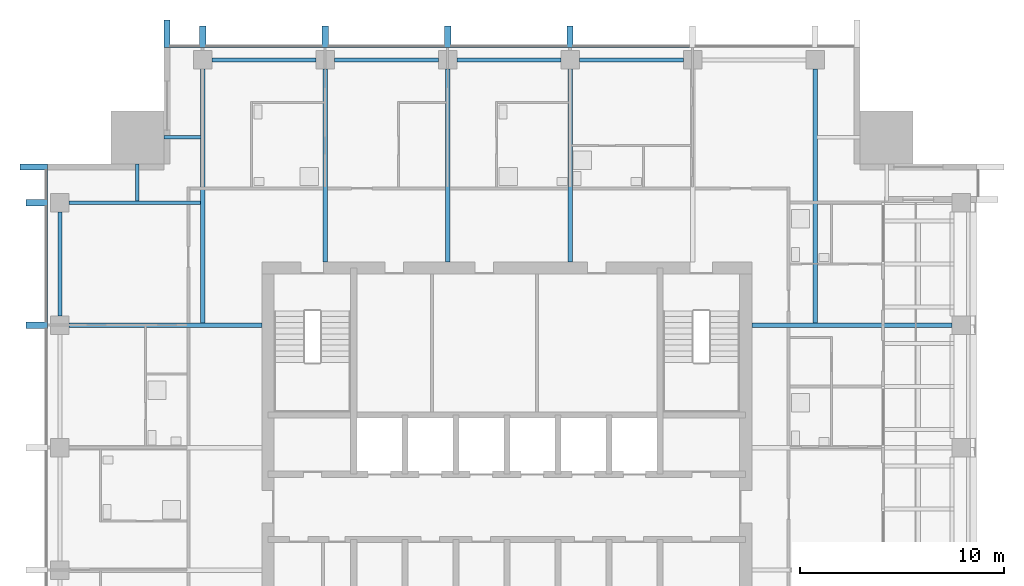
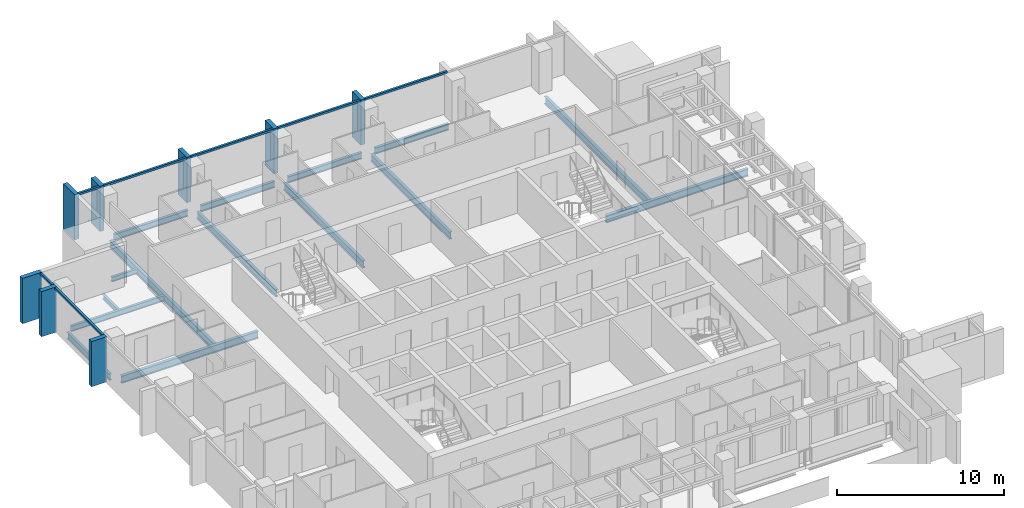
# One storey, part 5 of 17: 15 beams, 15 members, 2 elements without a shape of their own.
"""IFC4 building model written with IfcOpenShell, lengths in metres."""

from ifc_helpers import new_model, si_unit, direction, frame, origin, origin_2d, place, context, subcontext, project, spatial, rectangle, i_section, extrude, material, material_profile, profile_set, type_object, element, aggregate, save


model = new_model("IFC4")

# Units and contexts
model_context = context("Model", 3, precision=1e-05, world=origin(), true_north=direction((0.0, 1.0)))
body_context = subcontext(model_context, "Body", "Model", "MODEL_VIEW")
ifc_project = project(units=[si_unit("LENGTHUNIT", "METRE"), si_unit("AREAUNIT", "SQUARE_METRE"), si_unit("VOLUMEUNIT", "CUBIC_METRE"), si_unit("PLANEANGLEUNIT", "RADIAN"), si_unit("MASSUNIT", "GRAM", prefix="KILO")], contexts=[model_context])

# Site, building, storey
site_placement = place(None, origin())
site = spatial("IfcSite", under=ifc_project, at=site_placement, CompositionType="ELEMENT")
building_placement = place(site_placement, origin())
building = spatial("IfcBuilding", under=site, at=building_placement, Name="Amberfall Residences", CompositionType="ELEMENT")
storey_placement = place(building_placement, frame((0.0, 0.0, 216.699951171875)))
storey = spatial("IfcBuildingStorey", under=building, at=storey_placement, Name="L58", CompositionType="ELEMENT", Elevation=216.699951171875)

# Curtain wall, members
ifc_material_1 = material(Name="Bronze anodised aluminium and glass", Category="aluminium")
curtain_wall_type = type_object("IfcCurtainWallType", Name="Curtain wall CW1 tower unit", PredefinedType="USERDEFINED", material=ifc_material_1)
curtain_wall_1_placement = place(storey_placement, origin())
curtain_wall_1 = element("IfcCurtainWall", 1, at=curtain_wall_1_placement, inside=storey, type_object=curtain_wall_type, Name="Curtain wall L58 N N1", ObjectType="UNITISED CURTAIN WALL", PredefinedType="USERDEFINED")
ifc_material_2 = material(Name="Bronze anodised aluminium", Category="aluminium")
ifc_material_profile_1 = material_profile(ifc_material_2, rectangle(XDim=0.14990234375, YDim=0.14990234375, at=origin_2d()), Name="CW1 transom 150 x 150 bronze")
ifc_profile_set_1 = profile_set([ifc_material_profile_1], Name="Bronze anodised aluminium")
member_type_1 = type_object("IfcMemberType", Name="CW1 transom 150 x 150 bronze", PredefinedType="USERDEFINED", material=ifc_profile_set_1)
member_1_placement = place(storey_placement, frame((83.449951171875, 68.074951171875, 2.97509765625), z_axis=(-1.0, 0.0, 0.0), x_axis=(0.0, -1.0, 0.0)))
member_1 = element("IfcMember", 2, at=member_1_placement, type_object=member_type_1, Name="CW1 transom 3.1", ObjectType="TRANSOM", PredefinedType="USERDEFINED", context=body_context, shape_type="SweptSolid", body=[
    extrude(rectangle(XDim=0.14990234375, YDim=0.14990234375, at=origin_2d()), origin(), (0.0, 0.0, 1.0), 5.699951171875),
])
member_2_placement = place(storey_placement, frame((77.449951171875, 68.074951171875, 2.97509765625), z_axis=(-1.0, 0.0, 0.0), x_axis=(0.0, -1.0, 0.0)))
member_2 = element("IfcMember", 3, at=member_2_placement, type_object=member_type_1, Name="CW1 transom 4.1", ObjectType="TRANSOM", PredefinedType="USERDEFINED", context=body_context, shape_type="SweptSolid", body=[
    extrude(rectangle(XDim=0.14990234375, YDim=0.14990234375, at=origin_2d()), origin(), (0.0, 0.0, 1.0), 5.699951171875),
])
member_3_placement = place(storey_placement, frame((71.449951171875, 68.074951171875, 2.97509765625), z_axis=(-1.0, 0.0, 0.0), x_axis=(0.0, -1.0, 0.0)))
member_3 = element("IfcMember", 4, at=member_3_placement, type_object=member_type_1, Name="CW1 transom 5.1", ObjectType="TRANSOM", PredefinedType="USERDEFINED", context=body_context, shape_type="SweptSolid", body=[
    extrude(rectangle(XDim=0.14990234375, YDim=0.14990234375, at=origin_2d()), origin(), (0.0, 0.0, 1.0), 5.699951171875),
])
member_4_placement = place(storey_placement, frame((65.449951171875, 68.074951171875, 2.97509765625), z_axis=(-1.0, 0.0, 0.0), x_axis=(0.0, -1.0, 0.0)))
member_4 = element("IfcMember", 5, at=member_4_placement, type_object=member_type_1, Name="CW1 transom 6.1", ObjectType="TRANSOM", PredefinedType="USERDEFINED", context=body_context, shape_type="SweptSolid", body=[
    extrude(rectangle(XDim=0.14990234375, YDim=0.14990234375, at=origin_2d()), origin(), (0.0, 0.0, 1.0), 5.699951171875),
])
member_5_placement = place(storey_placement, frame((59.449951171875, 68.074951171875, 2.97509765625), z_axis=(-1.0, 0.0, 0.0), x_axis=(0.0, -1.0, 0.0)))
member_5 = element("IfcMember", 6, at=member_5_placement, type_object=member_type_1, Name="CW1 transom 7.1", ObjectType="TRANSOM", PredefinedType="USERDEFINED", context=body_context, shape_type="SweptSolid", body=[
    extrude(rectangle(XDim=0.14990234375, YDim=0.14990234375, at=origin_2d()), origin(), (0.0, 0.0, 1.0), 1.449951171875),
])

curtain_wall_2_placement = place(storey_placement, origin())
curtain_wall_2 = element("IfcCurtainWall", 7, at=curtain_wall_2_placement, inside=storey, type_object=curtain_wall_type, Name="Curtain wall L58 W W1", ObjectType="UNITISED CURTAIN WALL", PredefinedType="USERDEFINED")
member_6_placement = place(storey_placement, frame((51.925048828125, 62.0, 2.97509765625), z_axis=(0.0, -1.0, 0.0), x_axis=(1.0, 0.0, 0.0)))
member_6 = element("IfcMember", 8, at=member_6_placement, type_object=member_type_1, Name="CW1 transom 1.1", ObjectType="TRANSOM", PredefinedType="USERDEFINED", context=body_context, shape_type="SweptSolid", body=[
    extrude(rectangle(XDim=0.14990234375, YDim=0.14990234375, at=origin_2d()), origin(), (0.0, 0.0, 1.0), 1.449951171875),
])
member_7_placement = place(storey_placement, frame((51.925048828125, 60.25, 2.97509765625), z_axis=(0.0, -1.0, 0.0), x_axis=(1.0, 0.0, 0.0)))
member_7 = element("IfcMember", 9, at=member_7_placement, type_object=member_type_1, Name="CW1 transom 2.1", ObjectType="TRANSOM", PredefinedType="USERDEFINED", context=body_context, shape_type="SweptSolid", body=[
    extrude(rectangle(XDim=0.14990234375, YDim=0.14990234375, at=origin_2d()), origin(), (0.0, 0.0, 1.0), 5.699951171875),
])

# Member
ifc_material_profile_2 = material_profile(ifc_material_2, rectangle(XDim=1.35009765625, YDim=0.300048828125, at=origin_2d()), Name="Corner fin 300 x 1350 bronze")
ifc_profile_set_2 = profile_set([ifc_material_profile_2], Name="Bronze anodised aluminium")
member_type_2 = type_object("IfcMemberType", Name="Corner fin 300 x 1350 bronze", PredefinedType="MULLION", material=ifc_profile_set_2)
member_8_placement = place(storey_placement, frame((57.85009765625, 68.675048828125, -0.25), z_axis=(0.0, 0.0, 1.0), x_axis=(0.0, -1.0, 0.0)))
member_8 = element("IfcMember", 10, at=member_8_placement, type_object=member_type_2, Name="CW FIN 8", PredefinedType="MULLION", context=body_context, shape_type="SweptSolid", body=[
    extrude(rectangle(XDim=1.35009765625, YDim=0.300048828125, at=origin_2d()), origin(), (0.0, 0.0, 1.0), 3.300048828125),
])

member_9_placement = place(storey_placement, frame((51.324951171875, 62.14990234375, -0.25), z_axis=(0.0, 0.0, 1.0), x_axis=(1.0, 0.0, 0.0)))
member_9 = element("IfcMember", 11, at=member_9_placement, type_object=member_type_2, Name="CW FIN 1", PredefinedType="MULLION", context=body_context, shape_type="SweptSolid", body=[
    extrude(rectangle(XDim=1.35009765625, YDim=0.300048828125, at=origin_2d()), origin(), (0.0, 0.0, 1.0), 3.300048828125),
])

# Beams
ifc_material_3 = material(Name="Steel S355", Category="steel")
ifc_material_profile_3 = material_profile(ifc_material_3, i_section(OverallWidth=0.18994140625, OverallDepth=0.453369140625, WebThickness=0.008544921875, FlangeThickness=0.0126953125, FilletRadius=0.01025390625, at=origin_2d()), Name="UB 457x191x67")
ifc_profile_set_3 = profile_set([ifc_material_profile_3], Name="Steel S355")
beam_type_1 = type_object("IfcBeamType", Name="Edge beam UB 457x191x67", PredefinedType="SPANDREL", material=ifc_profile_set_3)
for number, where, z_axis, x_axis, name in (
    (12, (60.050048828125, 67.39990234375, -0.4765625), (1.0, 0.0, 0.0), (0.0, 1.0, 0.0), "Edge beam B1 L58 25"),
    (13, (66.050048828125, 67.39990234375, -0.4765625), (1.0, 0.0, 0.0), (0.0, 1.0, 0.0), "Edge beam B1 L58 26"),
    (14, (72.050048828125, 67.39990234375, -0.4765625), (1.0, 0.0, 0.0), (0.0, 1.0, 0.0), "Edge beam B1 L58 27"),
    (15, (78.050048828125, 67.39990234375, -0.4765625), (1.0, 0.0, 0.0), (0.0, 1.0, 0.0), "Edge beam B1 L58 28"),
    (16, (52.60009765625, 54.85009765625, -0.4765625), (0.0, 1.0, 0.0), (-1.0, 0.0, 0.0), "Edge beam B1 L58 40"),
):
    element("IfcBeam", number, at=place(storey_placement, frame(where, z_axis=z_axis, x_axis=x_axis)), inside=storey, type_object=beam_type_1, Name=name, PredefinedType="SPANDREL", context=body_context, shape_type="SweptSolid", body=[
        extrude(i_section(OverallWidth=0.18994140625, OverallDepth=0.453369140625, WebThickness=0.008544921875, FlangeThickness=0.0126953125, FilletRadius=0.01025390625, at=origin_2d()), origin(), (0.0, 0.0, 1.0), 5.099853515625),
    ])

# Member
ifc_material_profile_4 = material_profile(ifc_material_2, rectangle(XDim=1.050048828125, YDim=0.300048828125, at=origin_2d()), Name="Fin 300 x 1050 bronze")
ifc_profile_set_4 = profile_set([ifc_material_profile_4], Name="Bronze anodised aluminium")
member_type_3 = type_object("IfcMemberType", Name="Fin 300 x 1050 bronze", PredefinedType="MULLION", material=ifc_profile_set_4)
member_10_placement = place(storey_placement, frame((77.60009765625, 68.52490234375, -0.25), z_axis=(0.0, 0.0, 1.0), x_axis=(0.0, -1.0, 0.0)))
member_10 = element("IfcMember", 17, at=member_10_placement, type_object=member_type_3, Name="CW FIN 4", PredefinedType="MULLION", context=body_context, shape_type="SweptSolid", body=[
    extrude(rectangle(XDim=1.050048828125, YDim=0.300048828125, at=origin_2d()), origin(), (0.0, 0.0, 1.0), 3.300048828125),
])

member_11_placement = place(storey_placement, frame((71.60009765625, 68.52490234375, -0.25), z_axis=(0.0, 0.0, 1.0), x_axis=(0.0, -1.0, 0.0)))
member_11 = element("IfcMember", 18, at=member_11_placement, type_object=member_type_3, Name="CW FIN 5", PredefinedType="MULLION", context=body_context, shape_type="SweptSolid", body=[
    extrude(rectangle(XDim=1.050048828125, YDim=0.300048828125, at=origin_2d()), origin(), (0.0, 0.0, 1.0), 3.300048828125),
])

member_12_placement = place(storey_placement, frame((65.60009765625, 68.52490234375, -0.25), z_axis=(0.0, 0.0, 1.0), x_axis=(0.0, -1.0, 0.0)))
member_12 = element("IfcMember", 19, at=member_12_placement, type_object=member_type_3, Name="CW FIN 6", PredefinedType="MULLION", context=body_context, shape_type="SweptSolid", body=[
    extrude(rectangle(XDim=1.050048828125, YDim=0.300048828125, at=origin_2d()), origin(), (0.0, 0.0, 1.0), 3.300048828125),
])

member_13_placement = place(storey_placement, frame((59.60009765625, 68.52490234375, -0.25), z_axis=(0.0, 0.0, 1.0), x_axis=(0.0, -1.0, 0.0)))
member_13 = element("IfcMember", 20, at=member_13_placement, type_object=member_type_3, Name="CW FIN 7", PredefinedType="MULLION", context=body_context, shape_type="SweptSolid", body=[
    extrude(rectangle(XDim=1.050048828125, YDim=0.300048828125, at=origin_2d()), origin(), (0.0, 0.0, 1.0), 3.300048828125),
])

aggregate(curtain_wall_1, [member_10, member_11, member_12, member_13, member_8, member_1, member_2, member_3, member_4, member_5])

member_14_placement = place(storey_placement, frame((51.47509765625, 60.39990234375, -0.25), z_axis=(0.0, 0.0, 1.0), x_axis=(1.0, 0.0, 0.0)))
member_14 = element("IfcMember", 21, at=member_14_placement, type_object=member_type_3, Name="CW FIN 2", PredefinedType="MULLION", context=body_context, shape_type="SweptSolid", body=[
    extrude(rectangle(XDim=1.050048828125, YDim=0.300048828125, at=origin_2d()), origin(), (0.0, 0.0, 1.0), 3.300048828125),
])

member_15_placement = place(storey_placement, frame((51.47509765625, 54.39990234375, -0.25), z_axis=(0.0, 0.0, 1.0), x_axis=(1.0, 0.0, 0.0)))
member_15 = element("IfcMember", 22, at=member_15_placement, type_object=member_type_3, Name="CW FIN 3", PredefinedType="MULLION", context=body_context, shape_type="SweptSolid", body=[
    extrude(rectangle(XDim=1.050048828125, YDim=0.300048828125, at=origin_2d()), origin(), (0.0, 0.0, 1.0), 3.300048828125),
])

aggregate(curtain_wall_2, [member_9, member_14, member_15, member_6, member_7])

# Beams
ifc_material_profile_5 = material_profile(ifc_material_3, i_section(OverallWidth=0.177734375, OverallDepth=0.402587890625, WebThickness=0.0078125, FlangeThickness=0.010986328125, FilletRadius=0.01025390625, at=origin_2d()), Name="UB 406x178x54")
ifc_profile_set_5 = profile_set([ifc_material_profile_5], Name="Steel S355")
beam_type_2 = type_object("IfcBeamType", Name="Floor girder UB 406x178x54", PredefinedType="BEAM", material=ifc_profile_set_5)
beam_1_placement = place(storey_placement, frame((53.050048828125, 60.39990234375, -0.451171875), z_axis=(1.0, 0.0, 0.0), x_axis=(0.0, 1.0, 0.0)))
element("IfcBeam", 23, at=beam_1_placement, inside=storey, type_object=beam_type_2, Name="Floor girder B4 L58 46", PredefinedType="BEAM", context=body_context, shape_type="SweptSolid", body=[
    extrude(i_section(OverallWidth=0.177734375, OverallDepth=0.402587890625, WebThickness=0.0078125, FlangeThickness=0.010986328125, FilletRadius=0.01025390625, at=origin_2d()), origin(), (0.0, 0.0, 1.0), 6.429931640625),
])
ifc_material_profile_6 = material_profile(ifc_material_3, i_section(OverallWidth=0.210693359375, OverallDepth=0.53955078125, WebThickness=0.01171875, FlangeThickness=0.018798828125, FilletRadius=0.0126953125, at=origin_2d()), Name="UB 533x210x109")
ifc_profile_set_6 = profile_set([ifc_material_profile_6], Name="Steel S355")
beam_type_3 = type_object("IfcBeamType", Name="Floor girder UB 533x210x109", PredefinedType="BEAM", material=ifc_profile_set_6)
for number, where, z_axis, x_axis, name in (
    (24, (59.60009765625, 66.949951171875, -0.519775390625), (0.0, -1.0, 0.0), (1.0, 0.0, 0.0), "Floor girder B2 L58 30"),
    (25, (89.60009765625, 66.949951171875, -0.519775390625), (0.0, -1.0, 0.0), (1.0, 0.0, 0.0), "Floor girder B2 L58 35"),
):
    element("IfcBeam", number, at=place(storey_placement, frame(where, z_axis=z_axis, x_axis=x_axis)), inside=storey, type_object=beam_type_3, Name=name, PredefinedType="BEAM", context=body_context, shape_type="SweptSolid", body=[
        extrude(i_section(OverallWidth=0.210693359375, OverallDepth=0.53955078125, WebThickness=0.01171875, FlangeThickness=0.018798828125, FilletRadius=0.0126953125, at=origin_2d()), origin(), (0.0, 0.0, 1.0), 12.450439453125),
    ])
ifc_material_profile_7 = material_profile(ifc_material_3, i_section(OverallWidth=0.209228515625, OverallDepth=0.533203125, WebThickness=0.010009765625, FlangeThickness=0.015625, FilletRadius=0.0126953125, at=origin_2d()), Name="UB 533x210x92")
ifc_profile_set_7 = profile_set([ifc_material_profile_7], Name="Steel S355")
beam_type_4 = type_object("IfcBeamType", Name="Floor girder UB 533x210x92", PredefinedType="BEAM", material=ifc_profile_set_7)
beam_2_placement = place(storey_placement, frame((96.300048828125, 54.39990234375, -0.5166015625), z_axis=(-1.0, 0.0, 0.0), x_axis=(0.0, -1.0, 0.0)))
element("IfcBeam", 26, at=beam_2_placement, inside=storey, type_object=beam_type_4, Name="Floor girder B3 L58 23", PredefinedType="BEAM", context=body_context, shape_type="SweptSolid", body=[
    extrude(i_section(OverallWidth=0.209228515625, OverallDepth=0.533203125, WebThickness=0.010009765625, FlangeThickness=0.015625, FilletRadius=0.0126953125, at=origin_2d()), origin(), (0.0, 0.0, 1.0), 9.800048828125),
])
for number, where, z_axis, x_axis, name in (
    (27, (65.60009765625, 66.949951171875, -0.5166015625), (0.0, -1.0, 0.0), (1.0, 0.0, 0.0), "Floor girder B3 L58 31"),
    (28, (71.60009765625, 66.949951171875, -0.5166015625), (0.0, -1.0, 0.0), (1.0, 0.0, 0.0), "Floor girder B3 L58 32"),
    (29, (77.60009765625, 66.949951171875, -0.5166015625), (0.0, -1.0, 0.0), (1.0, 0.0, 0.0), "Floor girder B3 L58 33"),
    (30, (53.050048828125, 54.39990234375, -0.5166015625), (1.0, 0.0, 0.0), (0.0, 1.0, 0.0), "Floor girder B3 L58 45"),
):
    element("IfcBeam", number, at=place(storey_placement, frame(where, z_axis=z_axis, x_axis=x_axis)), inside=storey, type_object=beam_type_4, Name=name, PredefinedType="BEAM", context=body_context, shape_type="SweptSolid", body=[
        extrude(i_section(OverallWidth=0.209228515625, OverallDepth=0.533203125, WebThickness=0.010009765625, FlangeThickness=0.015625, FilletRadius=0.0126953125, at=origin_2d()), origin(), (0.0, 0.0, 1.0), 9.449951171875),
    ])
ifc_material_profile_8 = material_profile(ifc_material_3, i_section(OverallWidth=0.171142578125, OverallDepth=0.351318359375, WebThickness=0.007080078125, FlangeThickness=0.009765625, FilletRadius=0.01025390625, at=origin_2d()), Name="UB 356x171x45")
ifc_profile_set_8 = profile_set([ifc_material_profile_8], Name="Steel S355")
beam_type_5 = type_object("IfcBeamType", Name="Link beam UB 356x171x45", PredefinedType="BEAM", material=ifc_profile_set_8)
beam_3_placement = place(storey_placement, frame((57.699951171875, 63.60009765625, -0.425537109375), z_axis=(1.0, 0.0, 0.0), x_axis=(0.0, 1.0, 0.0)))
element("IfcBeam", 31, at=beam_3_placement, inside=storey, type_object=beam_type_5, Name="Link beam B7 L58 53", PredefinedType="BEAM", context=body_context, shape_type="SweptSolid", body=[
    extrude(i_section(OverallWidth=0.171142578125, OverallDepth=0.351318359375, WebThickness=0.007080078125, FlangeThickness=0.009765625, FilletRadius=0.01025390625, at=origin_2d()), origin(), (0.0, 0.0, 1.0), 1.8046875),
])
beam_4_placement = place(storey_placement, frame((56.39990234375, 62.300048828125, -0.425537109375), z_axis=(0.0, -1.0, 0.0), x_axis=(1.0, 0.0, 0.0)))
element("IfcBeam", 32, at=beam_4_placement, inside=storey, type_object=beam_type_5, Name="Link beam B7 L58 54", PredefinedType="BEAM", context=body_context, shape_type="SweptSolid", body=[
    extrude(i_section(OverallWidth=0.171142578125, OverallDepth=0.351318359375, WebThickness=0.007080078125, FlangeThickness=0.009765625, FilletRadius=0.01025390625, at=origin_2d()), origin(), (0.0, 0.0, 1.0), 1.821044921875),
])

save(model, "model.ifc")
